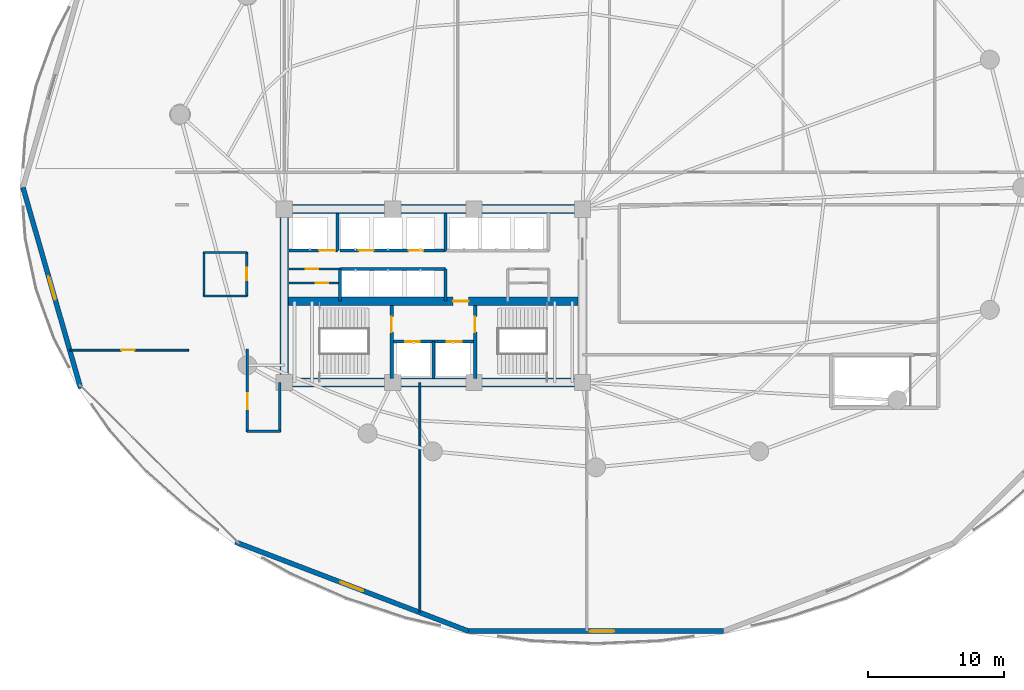
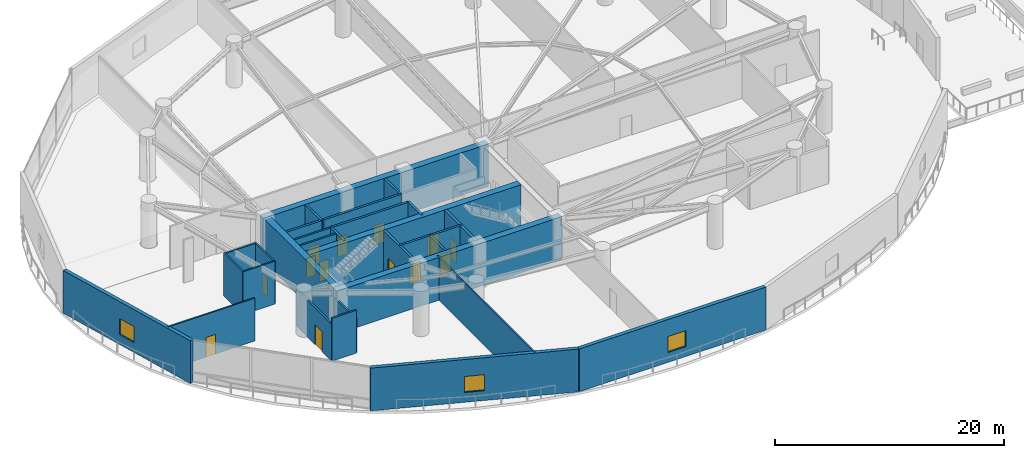
# One storey, part 16 of 26: 29 walls, 13 doors, 3 windows, 16 openings.
"""IFC4 building model written with IfcOpenShell, lengths in metres."""

from ifc_helpers import new_model, si_unit, direction, frame, frame_2d, origin, place, context, subcontext, project, spatial, rectangle, extrude, material, layer, layer_set, type_object, element, fill, save


model = new_model("IFC4")

# Units and contexts
model_context = context("Model", 3, precision=1e-05, world=origin(), true_north=direction((0.0, 1.0)))
body_context = subcontext(model_context, "Body", "Model", "MODEL_VIEW")
ifc_project = project(units=[si_unit("LENGTHUNIT", "METRE"), si_unit("AREAUNIT", "SQUARE_METRE"), si_unit("VOLUMEUNIT", "CUBIC_METRE"), si_unit("PLANEANGLEUNIT", "RADIAN"), si_unit("MASSUNIT", "GRAM", prefix="KILO")], contexts=[model_context])

# Site, building, storey
site_placement = place(None, origin())
site = spatial("IfcSite", under=ifc_project, at=site_placement, CompositionType="ELEMENT")
building_placement = place(site_placement, origin())
building = spatial("IfcBuilding", under=site, at=building_placement, Name="Kazevale Care Tower and Concert Hall", CompositionType="ELEMENT")
storey_placement = place(building_placement, frame((0.0, 0.0, 19.199951171875)))
storey = spatial("IfcBuildingStorey", under=building, at=storey_placement, Name="L04", CompositionType="ELEMENT", Elevation=19.199951171875)

# Wall, opening, door
ifc_material_1 = material(Name="Acoustic Gypsum on Steel Stud", Category="steel")
ifc_layer_1 = layer(ifc_material_1, 0.139892578125)
ifc_layer_set_1 = layer_set([ifc_layer_1], Name="Acoustic Gypsum on Steel Stud")
wall_type_1 = type_object("IfcWallType", Name="Acoustic Care & Suite Partition 140", PredefinedType="PARTITIONING", material=ifc_layer_set_1)
wall_1_placement = place(storey_placement, frame((6.1787109375, 26.0, 0.0), z_axis=(0.0, 0.0, 1.0), x_axis=(1.0, 0.0, 0.0)))
wall_1 = element("IfcWall", 1, at=wall_1_placement, inside=storey, type_object=wall_type_1, Name="wall:L04:auto_024", PredefinedType="PARTITIONING", context=body_context, shape_type="SweptSolid", body=[
    extrude(rectangle(XDim=8.76123046875, YDim=0.139892578125, at=frame_2d((4.380615234375, 0.0))), origin(), (0.0, 0.0, 1.0), 4.56005859375),
])
opening_1_placement = place(wall_1_placement, frame((3.800048828125, 0.0, 0.0)))
opening_1 = element("IfcOpeningElement", 2, at=opening_1_placement, cuts=wall_1, Name="Opening ID-1000", PredefinedType="OPENING", context=body_context, shape_type="SweptSolid", body=[
    extrude(rectangle(XDim=1.0, YDim=2.10009765625, at=frame_2d((0.5, 1.050048828125))), frame((0.0, 0.079833984375, 0.0), z_axis=(0.0, -1.0, 0.0), x_axis=(1.0, 0.0, 0.0)), (0.0, 0.0, 1.0), 0.159912109375),
])
ifc_material_2 = material(Name="Oak Timber Fire Leaf", Category="wood")
door_type_1 = type_object("IfcDoorType", Name="Suite & Room Door 1000x2100", OperationType="NOTDEFINED", PredefinedType="DOOR", material=ifc_material_2)
door_1_placement = place(opening_1_placement, origin())
door_1 = element("IfcDoor", 3, at=door_1_placement, inside=storey, type_object=door_type_1, Name="door:L04:ad_024", OperationType="SINGLE_SWING_LEFT", OverallHeight=2.10009765625, OverallWidth=1.0, PredefinedType="DOOR", context=body_context, shape_type="SweptSolid", body=[
    extrude(rectangle(XDim=1.0, YDim=2.10009765625, at=frame_2d((0.5, 1.050048828125))), frame((0.0, 0.02490234375, 0.0), z_axis=(0.0, -1.0, 0.0), x_axis=(1.0, 0.0, 0.0)), (0.0, 0.0, 1.0), 0.050048828125),
])
fill(opening_1, door_1)

# Walls
wall_2_placement = place(storey_placement, frame((32.0, 23.590087890625, 0.0), z_axis=(0.0, 0.0, 1.0), x_axis=(0.0, -1.0, 0.0)))
element("IfcWall", 4, at=wall_2_placement, inside=storey, type_object=wall_type_1, Name="wall:L04:auto_025", PredefinedType="PARTITIONING", context=body_context, shape_type="SweptSolid", body=[
    extrude(rectangle(XDim=16.9443359375, YDim=0.139892578125, at=frame_2d((8.47216796875, 0.0))), origin(), (0.0, 0.0, 1.0), 4.56005859375),
])
ifc_material_3 = material(Name="Concrete C70", Category="concrete")
ifc_layer_2 = layer(ifc_material_3, 0.64990234375)
ifc_layer_set_2 = layer_set([ifc_layer_2], Name="Concrete C70")
wall_type_2 = type_object("IfcWallType", Name="Core Shear Wall 650 C70", PredefinedType="SHEAR", material=ifc_layer_set_2)
for number, where, z_axis, x_axis, name in (
    (5, (21.675048828125, 23.60009765625, 0.0), (0.0, 0.0, 1.0), (1.0, 0.0, 0.0), "wall:L04:core:S"),
    (6, (21.675048828125, 36.39990234375, 0.0), (0.0, 0.0, 1.0), (1.0, 0.0, 0.0), "wall:L04:core:N"),
):
    element("IfcWall", number, at=place(storey_placement, frame(where, z_axis=z_axis, x_axis=x_axis)), inside=storey, type_object=wall_type_2, Name=name, PredefinedType="SHEAR", context=body_context, shape_type="SweptSolid", body=[
        extrude(rectangle(XDim=22.64990234375, YDim=0.64990234375, at=frame_2d((11.324951171875, 0.0))), origin(), (0.0, 0.0, 1.0), 4.56005859375),
    ])
wall_3_placement = place(storey_placement, frame((22.0, 23.925048828125, 0.0), z_axis=(0.0, 0.0, 1.0), x_axis=(0.0, 1.0, 0.0)))
element("IfcWall", 7, at=wall_3_placement, inside=storey, type_object=wall_type_2, Name="wall:L04:core:W", PredefinedType="SHEAR", context=body_context, shape_type="SweptSolid", body=[
    extrude(rectangle(XDim=12.14990234375, YDim=0.64990234375, at=frame_2d((6.074951171875, 0.0))), origin(), (0.0, 0.0, 1.0), 4.56005859375),
])

# Wall, opening, door
wall_4_placement = place(storey_placement, frame((22.324951171875, 29.60009765625, 0.0), z_axis=(0.0, 0.0, 1.0), x_axis=(1.0, 0.0, 0.0)))
wall_4 = element("IfcWall", 8, at=wall_4_placement, inside=storey, type_object=wall_type_2, Name="wall:L04:core:M", PredefinedType="SHEAR", context=body_context, shape_type="SweptSolid", body=[
    extrude(rectangle(XDim=21.35009765625, YDim=0.64990234375, at=frame_2d((10.675048828125, 0.0))), origin(), (0.0, 0.0, 1.0), 4.56005859375),
])
opening_2_placement = place(wall_4_placement, frame((12.125, 0.0, 0.0)))
opening_2 = element("IfcOpeningElement", 9, at=opening_2_placement, cuts=wall_4, Name="Opening FD-90", PredefinedType="OPENING", context=body_context, shape_type="SweptSolid", body=[
    extrude(rectangle(XDim=1.14990234375, YDim=2.10009765625, at=frame_2d((0.574951171875, 1.050048828125))), frame((0.0, 0.3349609375, 0.0), z_axis=(0.0, -1.0, 0.0), x_axis=(1.0, 0.0, 0.0)), (0.0, 0.0, 1.0), 0.669921875),
])
ifc_material_4 = material(Name="Steel ASTM A572 Gr 50", Category="steel")
door_type_2 = type_object("IfcDoorType", Name="Pressurized Stair & Lobby Fire Door 1150x2100", OperationType="NOTDEFINED", PredefinedType="DOOR", material=ifc_material_4)
door_2_placement = place(opening_2_placement, origin())
door_2 = element("IfcDoor", 10, at=door_2_placement, inside=storey, type_object=door_type_2, Name="door:L04:ff_to_pax", OperationType="SINGLE_SWING_LEFT", OverallHeight=2.10009765625, OverallWidth=1.14990234375, PredefinedType="DOOR", context=body_context, shape_type="SweptSolid", body=[
    extrude(rectangle(XDim=1.14990234375, YDim=2.10009765625, at=frame_2d((0.574951171875, 1.050048828125))), frame((0.0, 0.02490234375, 0.0), z_axis=(0.0, -1.0, 0.0), x_axis=(1.0, 0.0, 0.0)), (0.0, 0.0, 1.0), 0.050048828125),
])
fill(opening_2, door_2)

# Wall, openings, doors
ifc_material_5 = material(Name="Concrete C40", Category="concrete")
ifc_layer_3 = layer(ifc_material_5, 0.219970703125)
ifc_layer_set_3 = layer_set([ifc_layer_3], Name="Concrete C40")
wall_type_3 = type_object("IfcWallType", Name="Elevator Hoistway Shaft Wall 220", PredefinedType="SOLIDWALL", material=ifc_layer_set_3)
wall_5_placement = place(storey_placement, frame((29.919921875, 26.6201171875, 0.0), z_axis=(0.0, 0.0, 1.0), x_axis=(1.0, 0.0, 0.0)))
wall_5 = element("IfcWall", 11, at=wall_5_placement, inside=storey, type_object=wall_type_3, Name="wall:L04:c_ffl_n", PredefinedType="SOLIDWALL", context=body_context, shape_type="SweptSolid", body=[
    extrude(rectangle(XDim=6.16015625, YDim=0.219970703125, at=frame_2d((3.080078125, 0.0))), origin(), (0.0, 0.0, 1.0), 4.56005859375),
])
opening_3_placement = place(wall_5_placement, frame((0.989990234375, 0.0, 0.0)))
opening_3 = element("IfcOpeningElement", 12, at=opening_3_placement, cuts=wall_5, Name="Opening LD-FF", PredefinedType="OPENING", context=body_context, shape_type="SweptSolid", body=[
    extrude(rectangle(XDim=1.10009765625, YDim=2.10009765625, at=frame_2d((0.550048828125, 1.050048828125))), frame((0.0, 0.119873046875, 0.0), z_axis=(0.0, -1.0, 0.0), x_axis=(1.0, 0.0, 0.0)), (0.0, 0.0, 1.0), 0.239990234375),
])
opening_4_placement = place(wall_5_placement, frame((4.070068359375, 0.0, 0.0)))
opening_4 = element("IfcOpeningElement", 13, at=opening_4_placement, cuts=wall_5, Name="Opening LD-FF", PredefinedType="OPENING", context=body_context, shape_type="SweptSolid", body=[
    extrude(rectangle(XDim=1.10009765625, YDim=2.10009765625, at=frame_2d((0.550048828125, 1.050048828125))), frame((0.0, 0.119873046875, 0.0), z_axis=(0.0, -1.0, 0.0), x_axis=(1.0, 0.0, 0.0)), (0.0, 0.0, 1.0), 0.239990234375),
])
ifc_material_6 = material(Name="Stainless Steel 316", Category="steel")
door_type_3 = type_object("IfcDoorType", Name="Emergency Lift Sliding Landing Door 1100x2100", OperationType="NOTDEFINED", PredefinedType="DOOR", material=ifc_material_6)
door_3_placement = place(opening_3_placement, origin())
door_3 = element("IfcDoor", 14, at=door_3_placement, inside=storey, type_object=door_type_3, Name="door:L04:ld_ffl1", OperationType="SLIDING_TO_LEFT", OverallHeight=2.10009765625, OverallWidth=1.10009765625, PredefinedType="DOOR", context=body_context, shape_type="SweptSolid", body=[
    extrude(rectangle(XDim=1.10009765625, YDim=2.10009765625, at=frame_2d((0.550048828125, 1.050048828125))), frame((0.0, 0.02490234375, 0.0), z_axis=(0.0, -1.0, 0.0), x_axis=(1.0, 0.0, 0.0)), (0.0, 0.0, 1.0), 0.050048828125),
])
fill(opening_3, door_3)
door_4_placement = place(opening_4_placement, origin())
door_4 = element("IfcDoor", 15, at=door_4_placement, inside=storey, type_object=door_type_3, Name="door:L04:ld_ffl2", OperationType="SLIDING_TO_RIGHT", OverallHeight=2.10009765625, OverallWidth=1.10009765625, PredefinedType="DOOR", context=body_context, shape_type="SweptSolid", body=[
    extrude(rectangle(XDim=1.10009765625, YDim=2.10009765625, at=frame_2d((0.550048828125, 1.050048828125))), frame((0.0, 0.02490234375, 0.0), z_axis=(0.0, -1.0, 0.0), x_axis=(1.0, 0.0, 0.0)), (0.0, 0.0, 1.0), 0.050048828125),
])
fill(opening_4, door_4)

# Walls
wall_6_placement = place(storey_placement, frame((33.0, 23.89990234375, 0.0), z_axis=(0.0, 0.0, 1.0), x_axis=(0.0, 1.0, 0.0)))
element("IfcWall", 16, at=wall_6_placement, inside=storey, type_object=wall_type_3, Name="wall:L04:c_ffl_m", PredefinedType="SOLIDWALL", context=body_context, shape_type="SweptSolid", body=[
    extrude(rectangle(XDim=2.72021484375, YDim=0.219970703125, at=frame_2d((1.360107421875, 0.0))), origin(), (0.0, 0.0, 1.0), 4.56005859375),
])
wall_7_placement = place(storey_placement, frame((25.919921875, 33.35009765625, 0.0), z_axis=(0.0, 0.0, 1.0), x_axis=(0.0, 1.0, 0.0)))
element("IfcWall", 17, at=wall_7_placement, inside=storey, type_object=wall_type_3, Name="wall:L04:c_svl_e", PredefinedType="SOLIDWALL", context=body_context, shape_type="SweptSolid", body=[
    extrude(rectangle(XDim=2.72998046875, YDim=0.219970703125, at=frame_2d((1.364990234375, 0.0))), origin(), (0.0, 0.0, 1.0), 4.56005859375),
])

# Wall, opening, door
wall_8_placement = place(storey_placement, frame((22.35009765625, 33.35009765625, 0.0), z_axis=(0.0, 0.0, 1.0), x_axis=(1.0, 0.0, 0.0)))
wall_8 = element("IfcWall", 18, at=wall_8_placement, inside=storey, type_object=wall_type_3, Name="wall:L04:c_svl_s", PredefinedType="SOLIDWALL", context=body_context, shape_type="SweptSolid", body=[
    extrude(rectangle(XDim=3.56982421875, YDim=0.219970703125, at=frame_2d((1.784912109375, 0.0))), origin(), (0.0, 0.0, 1.0), 4.56005859375),
])
opening_5_placement = place(wall_8_placement, frame((2.212890625, 0.0, 0.0)))
opening_5 = element("IfcOpeningElement", 19, at=opening_5_placement, cuts=wall_8, Name="Opening LD-SV", PredefinedType="OPENING", context=body_context, shape_type="SweptSolid", body=[
    extrude(rectangle(XDim=1.199951171875, YDim=2.10009765625, at=frame_2d((0.60009765625, 1.050048828125))), frame((0.0, 0.119873046875, 0.0), z_axis=(0.0, -1.0, 0.0), x_axis=(1.0, 0.0, 0.0)), (0.0, 0.0, 1.0), 0.239990234375),
])
door_type_4 = type_object("IfcDoorType", Name="Service Lift Sliding Landing Door 1200x2100", OperationType="NOTDEFINED", PredefinedType="DOOR", material=ifc_material_6)
door_5_placement = place(opening_5_placement, origin())
door_5 = element("IfcDoor", 20, at=door_5_placement, inside=storey, type_object=door_type_4, Name="door:L04:ld_svl1", OperationType="SLIDING_TO_LEFT", OverallHeight=2.10009765625, OverallWidth=1.199951171875, PredefinedType="DOOR", context=body_context, shape_type="SweptSolid", body=[
    extrude(rectangle(XDim=1.199951171875, YDim=2.10009765625, at=frame_2d((0.60009765625, 1.050048828125))), frame((0.0, 0.02490234375, 0.0), z_axis=(0.0, -1.0, 0.0), x_axis=(1.0, 0.0, 0.0)), (0.0, 0.0, 1.0), 0.050048828125),
])
fill(opening_5, door_5)

# Walls
wall_9_placement = place(storey_placement, frame((26.10009765625, 29.6201171875, 0.0), z_axis=(0.0, 0.0, 1.0), x_axis=(0.0, 1.0, 0.0)))
element("IfcWall", 21, at=wall_9_placement, inside=storey, type_object=wall_type_3, Name="wall:L04:c_ph_w", PredefinedType="SOLIDWALL", context=body_context, shape_type="SweptSolid", body=[
    extrude(rectangle(XDim=2.35986328125, YDim=0.219970703125, at=frame_2d((1.179931640625, 0.0))), origin(), (0.0, 0.0, 1.0), 4.56005859375),
])
wall_10_placement = place(storey_placement, frame((26.10009765625, 31.97998046875, 0.0), z_axis=(0.0, 0.0, 1.0), x_axis=(1.0, 0.0, 0.0)))
element("IfcWall", 22, at=wall_10_placement, inside=storey, type_object=wall_type_3, Name="wall:L04:c_ph_n", PredefinedType="SOLIDWALL", context=body_context, shape_type="SweptSolid", body=[
    extrude(rectangle(XDim=7.7998046875, YDim=0.219970703125, at=frame_2d((3.89990234375, 0.0))), origin(), (0.0, 0.0, 1.0), 4.56005859375),
])
wall_11_placement = place(storey_placement, frame((33.89990234375, 29.6201171875, 0.0), z_axis=(0.0, 0.0, 1.0), x_axis=(0.0, 1.0, 0.0)))
element("IfcWall", 23, at=wall_11_placement, inside=storey, type_object=wall_type_3, Name="wall:L04:c_ph_e", PredefinedType="SOLIDWALL", context=body_context, shape_type="SweptSolid", body=[
    extrude(rectangle(XDim=2.35986328125, YDim=0.219970703125, at=frame_2d((1.179931640625, 0.0))), origin(), (0.0, 0.0, 1.0), 4.56005859375),
])

# Wall, openings, doors
wall_12_placement = place(storey_placement, frame((26.10009765625, 33.35009765625, 0.0), z_axis=(0.0, 0.0, 1.0), x_axis=(1.0, 0.0, 0.0)))
wall_12 = element("IfcWall", 24, at=wall_12_placement, inside=storey, type_object=wall_type_3, Name="wall:L04:c_pl_s", PredefinedType="SOLIDWALL", context=body_context, shape_type="SweptSolid", body=[
    extrude(rectangle(XDim=7.7998046875, YDim=0.219970703125, at=frame_2d((3.89990234375, 0.0))), origin(), (0.0, 0.0, 1.0), 4.56005859375),
])
opening_6_placement = place(wall_12_placement, frame((1.39990234375, 0.0, 0.0)))
opening_6 = element("IfcOpeningElement", 25, at=opening_6_placement, cuts=wall_12, Name="Opening LD-PAX", PredefinedType="OPENING", context=body_context, shape_type="SweptSolid", body=[
    extrude(rectangle(XDim=1.10009765625, YDim=2.10009765625, at=frame_2d((0.550048828125, 1.050048828125))), frame((0.0, 0.119873046875, 0.0), z_axis=(0.0, -1.0, 0.0), x_axis=(1.0, 0.0, 0.0)), (0.0, 0.0, 1.0), 0.239990234375),
])
opening_7_placement = place(wall_12_placement, frame((5.06591796875, 0.0, 0.0)))
opening_7 = element("IfcOpeningElement", 26, at=opening_7_placement, cuts=wall_12, Name="Opening LD-PAX", PredefinedType="OPENING", context=body_context, shape_type="SweptSolid", body=[
    extrude(rectangle(XDim=1.10009765625, YDim=2.10009765625, at=frame_2d((0.550048828125, 1.050048828125))), frame((0.0, 0.119873046875, 0.0), z_axis=(0.0, -1.0, 0.0), x_axis=(1.0, 0.0, 0.0)), (0.0, 0.0, 1.0), 0.239990234375),
])
door_type_5 = type_object("IfcDoorType", Name="Passenger Lift Sliding Landing Door 1100x2100", OperationType="NOTDEFINED", PredefinedType="DOOR", material=ifc_material_6)
door_6_placement = place(opening_6_placement, origin())
door_6 = element("IfcDoor", 27, at=door_6_placement, inside=storey, type_object=door_type_5, Name="door:L04:ld_pl1", OperationType="SLIDING_TO_LEFT", OverallHeight=2.10009765625, OverallWidth=1.10009765625, PredefinedType="DOOR", context=body_context, shape_type="SweptSolid", body=[
    extrude(rectangle(XDim=1.10009765625, YDim=2.10009765625, at=frame_2d((0.550048828125, 1.050048828125))), frame((0.0, 0.02490234375, 0.0), z_axis=(0.0, -1.0, 0.0), x_axis=(1.0, 0.0, 0.0)), (0.0, 0.0, 1.0), 0.050048828125),
])
fill(opening_6, door_6)
door_7_placement = place(opening_7_placement, origin())
door_7 = element("IfcDoor", 28, at=door_7_placement, inside=storey, type_object=door_type_5, Name="door:L04:ld_pl2", OperationType="SLIDING_TO_RIGHT", OverallHeight=2.10009765625, OverallWidth=1.10009765625, PredefinedType="DOOR", context=body_context, shape_type="SweptSolid", body=[
    extrude(rectangle(XDim=1.10009765625, YDim=2.10009765625, at=frame_2d((0.550048828125, 1.050048828125))), frame((0.0, 0.02490234375, 0.0), z_axis=(0.0, -1.0, 0.0), x_axis=(1.0, 0.0, 0.0)), (0.0, 0.0, 1.0), 0.050048828125),
])
fill(opening_7, door_7)

# Wall
wall_13_placement = place(storey_placement, frame((33.89990234375, 33.35009765625, 0.0), z_axis=(0.0, 0.0, 1.0), x_axis=(0.0, 1.0, 0.0)))
element("IfcWall", 29, at=wall_13_placement, inside=storey, type_object=wall_type_3, Name="wall:L04:c_pl_e", PredefinedType="SOLIDWALL", context=body_context, shape_type="SweptSolid", body=[
    extrude(rectangle(XDim=2.72998046875, YDim=0.219970703125, at=frame_2d((1.364990234375, 0.0))), origin(), (0.0, 0.0, 1.0), 4.56005859375),
])

# Wall, opening, door
ifc_material_7 = material(Name="Concrete C40 and Acoustic Gypsum", Category="concrete")
ifc_layer_4 = layer(ifc_material_7, 0.179931640625)
ifc_layer_set_4 = layer_set([ifc_layer_4], Name="Concrete C40 and Acoustic Gypsum")
wall_type_4 = type_object("IfcWallType", Name="Fire-Rated Corridor & Party Wall 180", PredefinedType="PARTITIONING", material=ifc_layer_set_4)
wall_14_placement = place(storey_placement, frame((22.35009765625, 30.949951171875, 0.0), z_axis=(0.0, 0.0, 1.0), x_axis=(1.0, 0.0, 0.0)))
wall_14 = element("IfcWall", 30, at=wall_14_placement, inside=storey, type_object=wall_type_4, Name="wall:L04:kc_wm", PredefinedType="PARTITIONING", context=body_context, shape_type="SweptSolid", body=[
    extrude(rectangle(XDim=3.75, YDim=0.179931640625, at=frame_2d((1.875, 0.0))), origin(), (0.0, 0.0, 1.0), 4.56005859375),
])
opening_8_placement = place(wall_14_placement, frame((1.988037109375, 0.0, 0.0)))
opening_8 = element("IfcOpeningElement", 31, at=opening_8_placement, cuts=wall_14, Name="Opening ID-900", PredefinedType="OPENING", context=body_context, shape_type="SweptSolid", body=[
    extrude(rectangle(XDim=0.919921875, YDim=2.10009765625, at=frame_2d((0.4599609375, 1.050048828125))), frame((0.0, 0.099853515625, 0.0), z_axis=(0.0, -1.0, 0.0), x_axis=(1.0, 0.0, 0.0)), (0.0, 0.0, 1.0), 0.199951171875),
])
door_type_6 = type_object("IfcDoorType", Name="Bathroom & Service Door 920x2100", OperationType="NOTDEFINED", PredefinedType="DOOR", material=ifc_material_2)
door_8_placement = place(opening_8_placement, origin())
door_8 = element("IfcDoor", 32, at=door_8_placement, inside=storey, type_object=door_type_6, Name="door:L04:d_kcwb", OperationType="SINGLE_SWING_RIGHT", OverallHeight=2.10009765625, OverallWidth=0.919921875, PredefinedType="DOOR", context=body_context, shape_type="SweptSolid", body=[
    extrude(rectangle(XDim=0.919921875, YDim=2.10009765625, at=frame_2d((0.4599609375, 1.050048828125))), frame((0.0, 0.02490234375, 0.0), z_axis=(0.0, -1.0, 0.0), x_axis=(1.0, 0.0, 0.0)), (0.0, 0.0, 1.0), 0.050048828125),
])
fill(opening_8, door_8)

wall_15_placement = place(storey_placement, frame((22.35009765625, 31.97998046875, 0.0), z_axis=(0.0, 0.0, 1.0), x_axis=(1.0, 0.0, 0.0)))
wall_15 = element("IfcWall", 33, at=wall_15_placement, inside=storey, type_object=wall_type_4, Name="wall:L04:kc_wn", PredefinedType="PARTITIONING", context=body_context, shape_type="SweptSolid", body=[
    extrude(rectangle(XDim=3.75, YDim=0.179931640625, at=frame_2d((1.875, 0.0))), origin(), (0.0, 0.0, 1.0), 4.56005859375),
])
opening_9_placement = place(wall_15_placement, frame((1.238037109375, 0.0, 0.0)))
opening_9 = element("IfcOpeningElement", 34, at=opening_9_placement, cuts=wall_15, Name="Opening ID-900", PredefinedType="OPENING", context=body_context, shape_type="SweptSolid", body=[
    extrude(rectangle(XDim=0.919921875, YDim=2.10009765625, at=frame_2d((0.4599609375, 1.050048828125))), frame((0.0, 0.099853515625, 0.0), z_axis=(0.0, -1.0, 0.0), x_axis=(1.0, 0.0, 0.0)), (0.0, 0.0, 1.0), 0.199951171875),
])
door_9_placement = place(opening_9_placement, origin())
door_9 = element("IfcDoor", 35, at=door_9_placement, inside=storey, type_object=door_type_6, Name="door:L04:d_kcwt", OperationType="SINGLE_SWING_LEFT", OverallHeight=2.10009765625, OverallWidth=0.919921875, PredefinedType="DOOR", context=body_context, shape_type="SweptSolid", body=[
    extrude(rectangle(XDim=0.919921875, YDim=2.10009765625, at=frame_2d((0.4599609375, 1.050048828125))), frame((0.0, 0.02490234375, 0.0), z_axis=(0.0, -1.0, 0.0), x_axis=(1.0, 0.0, 0.0)), (0.0, 0.0, 1.0), 0.050048828125),
])
fill(opening_9, door_9)

wall_16_placement = place(storey_placement, frame((19.27490234375, 19.969970703125, 0.0), z_axis=(0.0, 0.0, 1.0), x_axis=(0.0, 1.0, 0.0)))
wall_16 = element("IfcWall", 36, at=wall_16_placement, inside=storey, type_object=wall_type_4, Name="wall:L04:auto_013", PredefinedType="PARTITIONING", context=body_context, shape_type="SweptSolid", body=[
    extrude(rectangle(XDim=6.094970703125, YDim=0.179931640625, at=frame_2d((3.04736328125, 0.0))), origin(), (0.0, 0.0, 1.0), 3.93798828125),
])
opening_10_placement = place(wall_16_placement, frame((1.64697265625, 0.0, 0.0)))
opening_10 = element("IfcOpeningElement", 37, at=opening_10_placement, cuts=wall_16, Name="Opening ID-1200", PredefinedType="OPENING", context=body_context, shape_type="SweptSolid", body=[
    extrude(rectangle(XDim=1.199951171875, YDim=2.14990234375, at=frame_2d((0.60009765625, 1.074951171875))), frame((0.0, 0.099853515625, 0.0), z_axis=(0.0, -1.0, 0.0), x_axis=(1.0, 0.0, 0.0)), (0.0, 0.0, 1.0), 0.199951171875),
])
door_type_7 = type_object("IfcDoorType", Name="Clinical & Therapy Door 1200x2150", OperationType="NOTDEFINED", PredefinedType="DOOR", material=ifc_material_2)
door_10_placement = place(opening_10_placement, origin())
door_10 = element("IfcDoor", 38, at=door_10_placement, inside=storey, type_object=door_type_7, Name="door:L04:ad_013", OperationType="SINGLE_SWING_LEFT", OverallHeight=2.14990234375, OverallWidth=1.199951171875, PredefinedType="DOOR", context=body_context, shape_type="SweptSolid", body=[
    extrude(rectangle(XDim=1.199951171875, YDim=2.14990234375, at=frame_2d((0.60009765625, 1.074951171875))), frame((0.0, 0.02490234375, 0.0), z_axis=(0.0, -1.0, 0.0), x_axis=(1.0, 0.0, 0.0)), (0.0, 0.0, 1.0), 0.050048828125),
])
fill(opening_10, door_10)

# Walls
wall_17_placement = place(storey_placement, frame((21.675048828125, 23.590087890625, 0.0), z_axis=(0.0, 0.0, 1.0), x_axis=(0.0, -1.0, 0.0)))
element("IfcWall", 39, at=wall_17_placement, inside=storey, type_object=wall_type_4, Name="wall:L04:auto_014", PredefinedType="PARTITIONING", context=body_context, shape_type="SweptSolid", body=[
    extrude(rectangle(XDim=3.6201171875, YDim=0.179931640625, at=frame_2d((1.81005859375, 0.0))), origin(), (0.0, 0.0, 1.0), 3.699951171875),
])
wall_18_placement = place(storey_placement, frame((21.705078125, 20.0, 0.0), z_axis=(0.0, 0.0, 1.0), x_axis=(-1.0, 0.0, 0.0)))
element("IfcWall", 40, at=wall_18_placement, inside=storey, type_object=wall_type_4, Name="wall:L04:auto_015", PredefinedType="PARTITIONING", context=body_context, shape_type="SweptSolid", body=[
    extrude(rectangle(XDim=2.4599609375, YDim=0.179931640625, at=frame_2d((1.22998046875, 0.0))), origin(), (0.0, 0.0, 1.0), 4.56005859375),
])
ifc_layer_5 = layer(ifc_material_1, 0.159912109375)
ifc_layer_set_5 = layer_set([ifc_layer_5], Name="Acoustic Gypsum on Steel Stud")
wall_type_5 = type_object("IfcWallType", Name="Moisture-Resistant Bathroom Plumbing Wall 160", PredefinedType="PLUMBINGWALL", material=ifc_layer_set_5)
for number, where, z_axis, x_axis, name in (
    (41, (16.034912109375, 30.0, 0.0), (0.0, 0.0, 1.0), (1.0, 0.0, 0.0), "wall:L04:pod_sw_wc_ws"),
    (42, (16.034912109375, 33.199951171875, 0.0), (0.0, 0.0, 1.0), (1.0, 0.0, 0.0), "wall:L04:pod_sw_wc_wn"),
):
    element("IfcWall", number, at=place(storey_placement, frame(where, z_axis=z_axis, x_axis=x_axis)), inside=storey, type_object=wall_type_5, Name=name, PredefinedType="PLUMBINGWALL", context=body_context, shape_type="SweptSolid", body=[
        extrude(rectangle(XDim=3.22998046875, YDim=0.159912109375, at=frame_2d((1.614990234375, 0.0))), origin(), (0.0, 0.0, 1.0), 4.56005859375),
    ])
wall_19_placement = place(storey_placement, frame((16.074951171875, 29.9599609375, 0.0), z_axis=(0.0, 0.0, 1.0), x_axis=(0.0, 1.0, 0.0)))
element("IfcWall", 43, at=wall_19_placement, inside=storey, type_object=wall_type_5, Name="wall:L04:pod_sw_wc_ww", PredefinedType="PLUMBINGWALL", context=body_context, shape_type="SweptSolid", body=[
    extrude(rectangle(XDim=3.280029296875, YDim=0.159912109375, at=frame_2d((1.64013671875, 0.0))), origin(), (0.0, 0.0, 1.0), 4.56005859375),
])

# Wall, opening, door
wall_20_placement = place(storey_placement, frame((19.22509765625, 29.9599609375, 0.0), z_axis=(0.0, 0.0, 1.0), x_axis=(0.0, 1.0, 0.0)))
wall_20 = element("IfcWall", 44, at=wall_20_placement, inside=storey, type_object=wall_type_5, Name="wall:L04:pod_sw_wc_we", PredefinedType="PLUMBINGWALL", context=body_context, shape_type="SweptSolid", body=[
    extrude(rectangle(XDim=3.280029296875, YDim=0.159912109375, at=frame_2d((1.64013671875, 0.0))), origin(), (0.0, 0.0, 1.0), 4.56005859375),
])
opening_11_placement = place(wall_20_placement, frame((1.18994140625, 0.0, 0.0)))
opening_11 = element("IfcOpeningElement", 45, at=opening_11_placement, cuts=wall_20, Name="Opening ID-900", PredefinedType="OPENING", context=body_context, shape_type="SweptSolid", body=[
    extrude(rectangle(XDim=0.919921875, YDim=2.10009765625, at=frame_2d((0.4599609375, 1.050048828125))), frame((0.0, 0.08984375, 0.0), z_axis=(0.0, -1.0, 0.0), x_axis=(1.0, 0.0, 0.0)), (0.0, 0.0, 1.0), 0.179931640625),
])
door_11_placement = place(opening_11_placement, origin())
door_11 = element("IfcDoor", 46, at=door_11_placement, inside=storey, type_object=door_type_6, Name="door:L04:pod_sw_wc_d", OperationType="SINGLE_SWING_LEFT", OverallHeight=2.10009765625, OverallWidth=0.919921875, PredefinedType="DOOR", context=body_context, shape_type="SweptSolid", body=[
    extrude(rectangle(XDim=0.919921875, YDim=2.10009765625, at=frame_2d((0.4599609375, 1.050048828125))), frame((0.0, 0.02490234375, 0.0), z_axis=(0.0, -1.0, 0.0), x_axis=(1.0, 0.0, 0.0)), (0.0, 0.0, 1.0), 0.050048828125),
])
fill(opening_11, door_11)

# Wall, opening, window
ifc_material_8 = material(Name="Concrete C40 with Honed Limestone Cladding", Category="masonry")
ifc_layer_6 = layer(ifc_material_8, 0.360107421875)
ifc_layer_set_6 = layer_set([ifc_layer_6], Name="Concrete C40 with Honed Limestone Cladding")
wall_type_6 = type_object("IfcWallType", Name="Podium Insulated Limestone Wall 360", PredefinedType="STANDARD", material=ifc_layer_set_6)
wall_21_placement = place(storey_placement, frame((2.719970703125, 38.0, 0.0), z_axis=(0.0, 0.0, 1.0), x_axis=(0.276203409751, -0.961099202186, 0.0)))
wall_21 = element("IfcWall", 47, at=wall_21_placement, inside=storey, type_object=wall_type_6, Name="wall:L04:podew:08", PredefinedType="STANDARD", context=body_context, shape_type="SweptSolid", body=[
    extrude(rectangle(XDim=15.419921875, YDim=0.360107421875, at=frame_2d((7.7099609375, 0.0))), origin(), (0.0, 0.0, 1.0), 4.56005859375),
])
opening_12_placement = place(wall_21_placement, frame((6.81005859375, 0.0, 1.050048828125)))
opening_12 = element("IfcOpeningElement", 48, at=opening_12_placement, cuts=wall_21, Name="Opening WIN-2", PredefinedType="OPENING", context=body_context, shape_type="SweptSolid", body=[
    extrude(rectangle(XDim=1.800048828125, YDim=1.699951171875, at=frame_2d((0.89990234375, 0.85009765625))), frame((0.0, 0.18994140625, 0.0), z_axis=(0.0, -1.0, 0.0), x_axis=(1.0, 0.0, 0.0)), (0.0, 0.0, 1.0), 0.380126953125),
])
ifc_material_9 = material(Name="Low-E Laminated Glass", Category="glass")
window_type = type_object("IfcWindowType", Name="Clinical Punched Window 1800x1700", PartitioningType="DOUBLE_PANEL_VERTICAL", PredefinedType="WINDOW", material=ifc_material_9)
window_1_placement = place(opening_12_placement, origin())
window_1 = element("IfcWindow", 49, at=window_1_placement, inside=storey, type_object=window_type, Name="win:L04:pod:08", OverallHeight=1.699951171875, OverallWidth=1.800048828125, PartitioningType="SINGLE_PANEL", PredefinedType="WINDOW", context=body_context, shape_type="SweptSolid", body=[
    extrude(rectangle(XDim=1.800048828125, YDim=1.699951171875, at=frame_2d((0.89990234375, 0.85009765625))), frame((0.0, 0.030029296875, 0.0), z_axis=(0.0, -1.0, 0.0), x_axis=(1.0, 0.0, 0.0)), (0.0, 0.0, 1.0), 0.06005859375),
])
fill(opening_12, window_1)

wall_22_placement = place(storey_placement, frame((18.39599609375, 11.839111328125, 0.0), z_axis=(0.0, 0.0, 1.0), x_axis=(0.934012147289, -0.357241247221, 0.0)))
wall_22 = element("IfcWall", 50, at=wall_22_placement, inside=storey, type_object=wall_type_6, Name="wall:L04:podew:10", PredefinedType="STANDARD", context=body_context, shape_type="SweptSolid", body=[
    extrude(rectangle(XDim=18.410888671875, YDim=0.360107421875, at=frame_2d((9.20556640625, 0.0))), origin(), (0.0, 0.0, 1.0), 4.56005859375),
])
opening_13_placement = place(wall_22_placement, frame((8.304931640625, 0.0, 1.050048828125)))
opening_13 = element("IfcOpeningElement", 51, at=opening_13_placement, cuts=wall_22, Name="Opening WIN-2", PredefinedType="OPENING", context=body_context, shape_type="SweptSolid", body=[
    extrude(rectangle(XDim=1.800048828125, YDim=1.699951171875, at=frame_2d((0.89990234375, 0.85009765625))), frame((0.0, 0.18994140625, 0.0), z_axis=(0.0, -1.0, 0.0), x_axis=(1.0, 0.0, 0.0)), (0.0, 0.0, 1.0), 0.380126953125),
])
window_2_placement = place(opening_13_placement, origin())
window_2 = element("IfcWindow", 52, at=window_2_placement, inside=storey, type_object=window_type, Name="win:L04:pod:10", OverallHeight=1.699951171875, OverallWidth=1.800048828125, PartitioningType="SINGLE_PANEL", PredefinedType="WINDOW", context=body_context, shape_type="SweptSolid", body=[
    extrude(rectangle(XDim=1.800048828125, YDim=1.699951171875, at=frame_2d((0.89990234375, 0.85009765625))), frame((0.0, 0.030029296875, 0.0), z_axis=(0.0, -1.0, 0.0), x_axis=(1.0, 0.0, 0.0)), (0.0, 0.0, 1.0), 0.06005859375),
])
fill(opening_13, window_2)

wall_23_placement = place(storey_placement, frame((35.592041015625, 5.261962890625, 0.0), z_axis=(0.0, 0.0, 1.0), x_axis=(1.0, 0.0, 0.0)))
wall_23 = element("IfcWall", 53, at=wall_23_placement, inside=storey, type_object=wall_type_6, Name="wall:L04:podew:11", PredefinedType="STANDARD", context=body_context, shape_type="SweptSolid", body=[
    extrude(rectangle(XDim=18.81591796875, YDim=0.360107421875, at=frame_2d((9.407958984375, 0.0))), origin(), (0.0, 0.0, 1.0), 4.56005859375),
])
opening_14_placement = place(wall_23_placement, frame((8.947998046875, 0.0, 1.050048828125)))
opening_14 = element("IfcOpeningElement", 54, at=opening_14_placement, cuts=wall_23, Name="Opening WIN-2", PredefinedType="OPENING", context=body_context, shape_type="SweptSolid", body=[
    extrude(rectangle(XDim=1.800048828125, YDim=1.699951171875, at=frame_2d((0.89990234375, 0.85009765625))), frame((0.0, 0.18994140625, 0.0), z_axis=(0.0, -1.0, 0.0), x_axis=(1.0, 0.0, 0.0)), (0.0, 0.0, 1.0), 0.380126953125),
])
window_3_placement = place(opening_14_placement, origin())
window_3 = element("IfcWindow", 55, at=window_3_placement, inside=storey, type_object=window_type, Name="win:L04:pod:11", OverallHeight=1.699951171875, OverallWidth=1.800048828125, PartitioningType="SINGLE_PANEL", PredefinedType="WINDOW", context=body_context, shape_type="SweptSolid", body=[
    extrude(rectangle(XDim=1.800048828125, YDim=1.699951171875, at=frame_2d((0.89990234375, 0.85009765625))), frame((0.0, 0.030029296875, 0.0), z_axis=(0.0, -1.0, 0.0), x_axis=(1.0, 0.0, 0.0)), (0.0, 0.0, 1.0), 0.06005859375),
])
fill(opening_14, window_3)

# Wall, opening, door
ifc_layer_7 = layer(ifc_material_5, 0.25)
ifc_layer_set_7 = layer_set([ifc_layer_7], Name="Concrete C40")
wall_type_7 = type_object("IfcWallType", Name="Pressurized Stair Shaft Wall 250", PredefinedType="SOLIDWALL", material=ifc_layer_set_7)
wall_24_placement = place(storey_placement, frame((29.919921875, 23.89990234375, 0.0), z_axis=(0.0, 0.0, 1.0), x_axis=(0.0, 1.0, 0.0)))
wall_24 = element("IfcWall", 56, at=wall_24_placement, inside=storey, type_object=wall_type_7, Name="wall:L04:c_st1_e", PredefinedType="SOLIDWALL", context=body_context, shape_type="SweptSolid", body=[
    extrude(rectangle(XDim=5.400146484375, YDim=0.25, at=frame_2d((2.7001953125, 0.0))), origin(), (0.0, 0.0, 1.0), 4.56005859375),
])
opening_15_placement = place(wall_24_placement, frame((3.4208984375, 0.0, 0.0)))
opening_15 = element("IfcOpeningElement", 57, at=opening_15_placement, cuts=wall_24, Name="Opening FD-90", PredefinedType="OPENING", context=body_context, shape_type="SweptSolid", body=[
    extrude(rectangle(XDim=1.14990234375, YDim=2.10009765625, at=frame_2d((0.574951171875, 1.050048828125))), frame((0.0, 0.135009765625, 0.0), z_axis=(0.0, -1.0, 0.0), x_axis=(1.0, 0.0, 0.0)), (0.0, 0.0, 1.0), 0.27001953125),
])
door_12_placement = place(opening_15_placement, origin())
door_12 = element("IfcDoor", 58, at=door_12_placement, inside=storey, type_object=door_type_2, Name="door:L04:st1", OperationType="SINGLE_SWING_RIGHT", OverallHeight=2.10009765625, OverallWidth=1.14990234375, PredefinedType="DOOR", context=body_context, shape_type="SweptSolid", body=[
    extrude(rectangle(XDim=1.14990234375, YDim=2.10009765625, at=frame_2d((0.574951171875, 1.050048828125))), frame((0.0, 0.02490234375, 0.0), z_axis=(0.0, -1.0, 0.0), x_axis=(1.0, 0.0, 0.0)), (0.0, 0.0, 1.0), 0.050048828125),
])
fill(opening_15, door_12)

wall_25_placement = place(storey_placement, frame((36.080078125, 23.89990234375, 0.0), z_axis=(0.0, 0.0, 1.0), x_axis=(0.0, 1.0, 0.0)))
wall_25 = element("IfcWall", 59, at=wall_25_placement, inside=storey, type_object=wall_type_7, Name="wall:L04:c_st2_w", PredefinedType="SOLIDWALL", context=body_context, shape_type="SweptSolid", body=[
    extrude(rectangle(XDim=5.400146484375, YDim=0.25, at=frame_2d((2.7001953125, 0.0))), origin(), (0.0, 0.0, 1.0), 4.56005859375),
])
opening_16_placement = place(wall_25_placement, frame((3.4208984375, 0.0, 0.0)))
opening_16 = element("IfcOpeningElement", 60, at=opening_16_placement, cuts=wall_25, Name="Opening FD-90", PredefinedType="OPENING", context=body_context, shape_type="SweptSolid", body=[
    extrude(rectangle(XDim=1.14990234375, YDim=2.10009765625, at=frame_2d((0.574951171875, 1.050048828125))), frame((0.0, 0.135009765625, 0.0), z_axis=(0.0, -1.0, 0.0), x_axis=(1.0, 0.0, 0.0)), (0.0, 0.0, 1.0), 0.27001953125),
])
door_13_placement = place(opening_16_placement, origin())
door_13 = element("IfcDoor", 61, at=door_13_placement, inside=storey, type_object=door_type_2, Name="door:L04:st2", OperationType="SINGLE_SWING_LEFT", OverallHeight=2.10009765625, OverallWidth=1.14990234375, PredefinedType="DOOR", context=body_context, shape_type="SweptSolid", body=[
    extrude(rectangle(XDim=1.14990234375, YDim=2.10009765625, at=frame_2d((0.574951171875, 1.050048828125))), frame((0.0, 0.02490234375, 0.0), z_axis=(0.0, -1.0, 0.0), x_axis=(1.0, 0.0, 0.0)), (0.0, 0.0, 1.0), 0.050048828125),
])
fill(opening_16, door_13)

save(model, "model.ifc")
